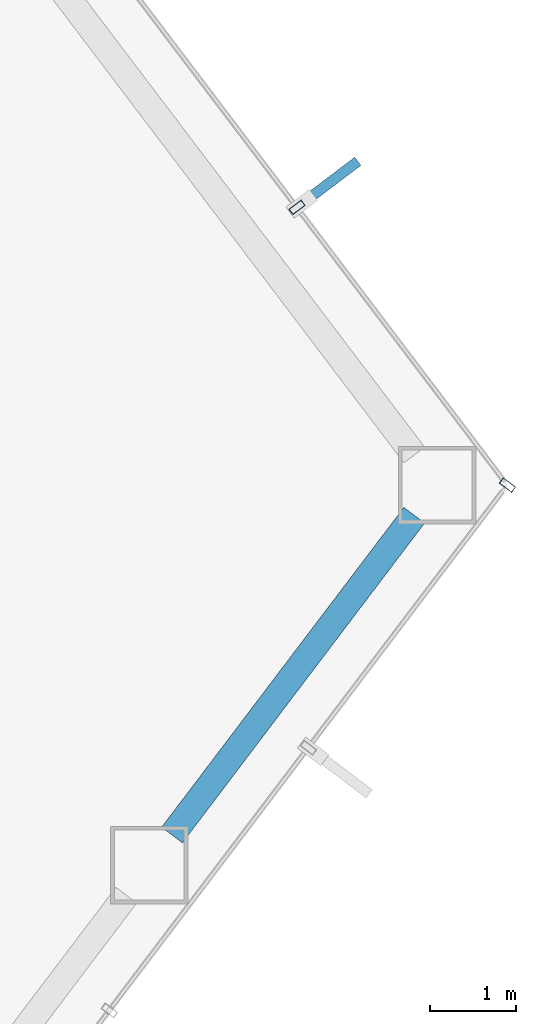
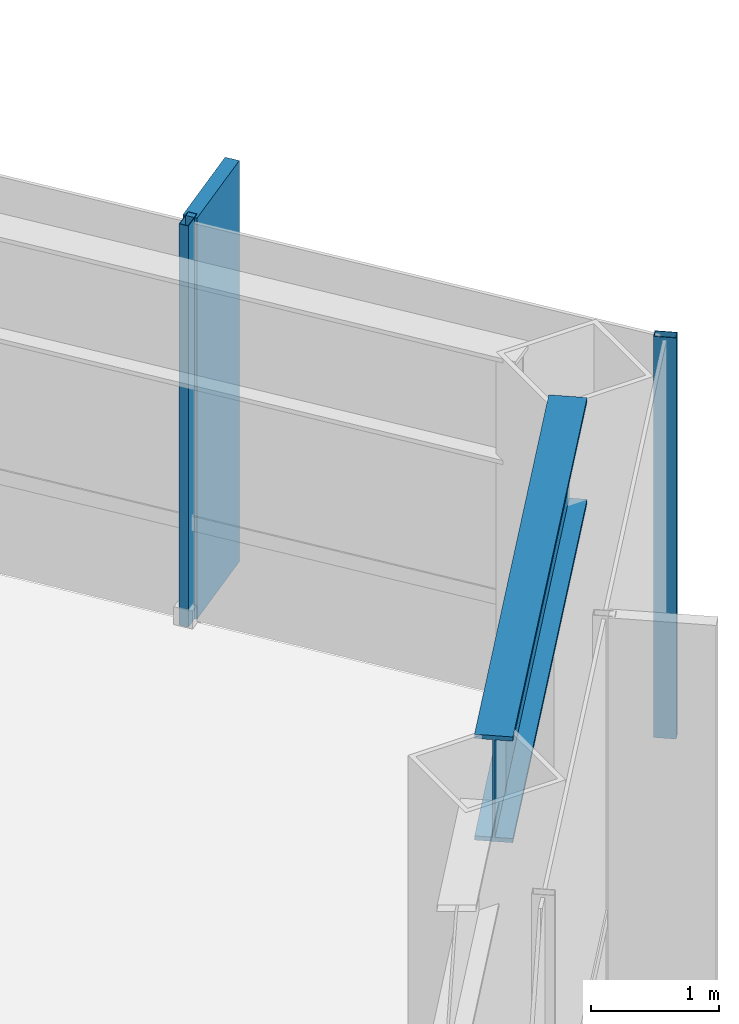
# One storey, part 18 of 25: 3 members, 1 beam, 2 elements without a shape of their own.
"""IFC4 building model written with IfcOpenShell, lengths in metres."""

from ifc_helpers import new_model, si_unit, direction, frame, origin, origin_2d, place, context, subcontext, project, spatial, rectangle, hollow_rectangle, i_section, extrude, material, layer, layer_set, material_profile, profile_set, type_object, element, aggregate, save


model = new_model("IFC4")

# Units and contexts
model_context = context("Model", 3, precision=1e-05, world=origin(), true_north=direction((0.0, 1.0)))
body_context = subcontext(model_context, "Body", "Model", "MODEL_VIEW")
ifc_project = project(units=[si_unit("LENGTHUNIT", "METRE"), si_unit("AREAUNIT", "SQUARE_METRE"), si_unit("VOLUMEUNIT", "CUBIC_METRE"), si_unit("PLANEANGLEUNIT", "RADIAN"), si_unit("MASSUNIT", "GRAM", prefix="KILO")], contexts=[model_context])

# Site, building, storey
site_placement = place(None, origin())
site = spatial("IfcSite", under=ifc_project, at=site_placement, CompositionType="ELEMENT")
building_placement = place(site_placement, origin())
building = spatial("IfcBuilding", under=site, at=building_placement, Name="Zarrinselat Tower", CompositionType="ELEMENT")
storey_placement = place(building_placement, frame((0.0, 0.0, 84.659912109375)))
storey = spatial("IfcBuildingStorey", under=building, at=storey_placement, Name="L20", CompositionType="ELEMENT", Elevation=84.659912109375)

# Beam
ifc_material_1 = material(Name="Steel S460M", Category="steel")
ifc_material_profile_1 = material_profile(ifc_material_1, i_section(OverallWidth=0.302001953125, OverallDepth=1.008056640625, WebThickness=0.02099609375, FlangeThickness=0.0400390625, at=origin_2d()), Name="HEM 1000")
ifc_profile_set_1 = profile_set([ifc_material_profile_1], Name="Steel S460M")
beam_type = type_object("IfcBeamType", Name="BM-HEM1000", PredefinedType="BEAM", material=ifc_profile_set_1)
beam_placement = place(storey_placement, frame((58.1611328125, 32.677978515625, 3.316162109375), z_axis=(0.603855667107, 0.797093679126, 0.0), x_axis=(-0.797093679126, 0.603855667107, 0.0)))
element("IfcBeam", 1, at=beam_placement, inside=storey, type_object=beam_type, Name="L20 Perimeter Spandrel Girder SP14", PredefinedType="BEAM", context=body_context, shape_type="SweptSolid", body=[
    extrude(i_section(OverallWidth=0.302001953125, OverallDepth=1.008056640625, WebThickness=0.02099609375, FlangeThickness=0.0400390625, at=origin_2d()), origin(), (0.0, 0.0, 1.0), 4.65185546875),
])

# Curtain wall, member
ifc_material_2 = material(Name="Extruded Aluminium Alloy EN AW-6063 T6", Category="aluminium")
ifc_layer = layer(ifc_material_2, 0.18505859375)
ifc_layer_set = layer_set([ifc_layer], Name="Extruded Aluminium Alloy EN AW-6063 T6")
curtain_wall_type = type_object("IfcCurtainWallType", Name="CWS-OFF", PredefinedType="NOTDEFINED", material=ifc_layer_set)
curtain_wall_1_placement = place(storey_placement, origin())
curtain_wall_1 = element("IfcCurtainWall", 2, at=curtain_wall_1_placement, inside=storey, type_object=curtain_wall_type, Name="L20 Unitised Curtain Wall CW-L20-E05", PredefinedType="NOTDEFINED")
ifc_material_3 = material(Name="Extruded Aluminium Alloy EN AW-6063 T6", Category="aluminium")
ifc_material_profile_2 = material_profile(ifc_material_3, hollow_rectangle(XDim=0.080078125, YDim=0.179931640625, WallThickness=0.0048828125, at=origin_2d()), Name="RHS 180x80x5")
ifc_profile_set_2 = profile_set([ifc_material_profile_2], Name="Extruded Aluminium Alloy EN AW-6063 T6")
member_type_1 = type_object("IfcMemberType", Name="MEM-CW-MUL", PredefinedType="MULLION", material=ifc_profile_set_2)
member_1_placement = place(storey_placement, frame((62.05029296875, 36.735107421875, 0.0), z_axis=(0.0, 0.0, 1.0), x_axis=(0.603855672579, 0.797093674981, 0.0)))
member_1 = element("IfcMember", 3, at=member_1_placement, type_object=member_type_1, Name="CW-L20-E05 Mullion 6", PredefinedType="MULLION", context=body_context, shape_type="SweptSolid", body=[
    extrude(hollow_rectangle(XDim=0.080078125, YDim=0.179931640625, WallThickness=0.0048828125, at=origin_2d()), origin(), (0.0, 0.0, 1.0), 3.820068359375),
])
aggregate(curtain_wall_1, [member_1])

# Curtain wall, members
curtain_wall_2_placement = place(storey_placement, origin())
curtain_wall_2 = element("IfcCurtainWall", 4, at=curtain_wall_2_placement, inside=storey, type_object=curtain_wall_type, Name="L20 Unitised Curtain Wall CW-L20-E06", PredefinedType="NOTDEFINED")
member_2_placement = place(storey_placement, frame((59.610595703125, 39.95556640625, 0.0), z_axis=(0.0, 0.0, 1.0), x_axis=(-0.603858164533, 0.797091787141, 0.0)))
member_2 = element("IfcMember", 5, at=member_2_placement, type_object=member_type_1, Name="CW-L20-E06 Mullion 1", PredefinedType="MULLION", context=body_context, shape_type="SweptSolid", body=[
    extrude(hollow_rectangle(XDim=0.080078125, YDim=0.179931640625, WallThickness=0.0048828125, at=origin_2d()), origin(), (0.0, 0.0, 1.0), 3.820068359375),
])
ifc_material_4 = material(Name="Honed Cream Travertine Stone", Category="masonry")
ifc_material_profile_3 = material_profile(ifc_material_4, rectangle(XDim=0.1201171875, YDim=0.85009765625, at=origin_2d()), Name="FIN 850x120")
ifc_profile_set_3 = profile_set([ifc_material_profile_3], Name="Honed Cream Travertine Stone")
member_type_2 = type_object("IfcMemberType", Name="MEM-STONE-FIN", PredefinedType="USERDEFINED", material=ifc_profile_set_3)
member_3_placement = place(storey_placement, frame((59.977294921875, 40.2333984375, 0.0), z_axis=(0.0, 0.0, 1.0), x_axis=(0.603858164533, -0.797091787141, 0.0)))
member_3 = element("IfcMember", 6, at=member_3_placement, type_object=member_type_2, Name="L20 Stone Shading Fin CW-L20-E06-01", ObjectType="FIN", PredefinedType="USERDEFINED", context=body_context, shape_type="SweptSolid", body=[
    extrude(rectangle(XDim=0.1201171875, YDim=0.85009765625, at=origin_2d()), origin(), (0.0, 0.0, 1.0), 3.820068359375),
])
aggregate(curtain_wall_2, [member_2, member_3])

save(model, "model.ifc")
